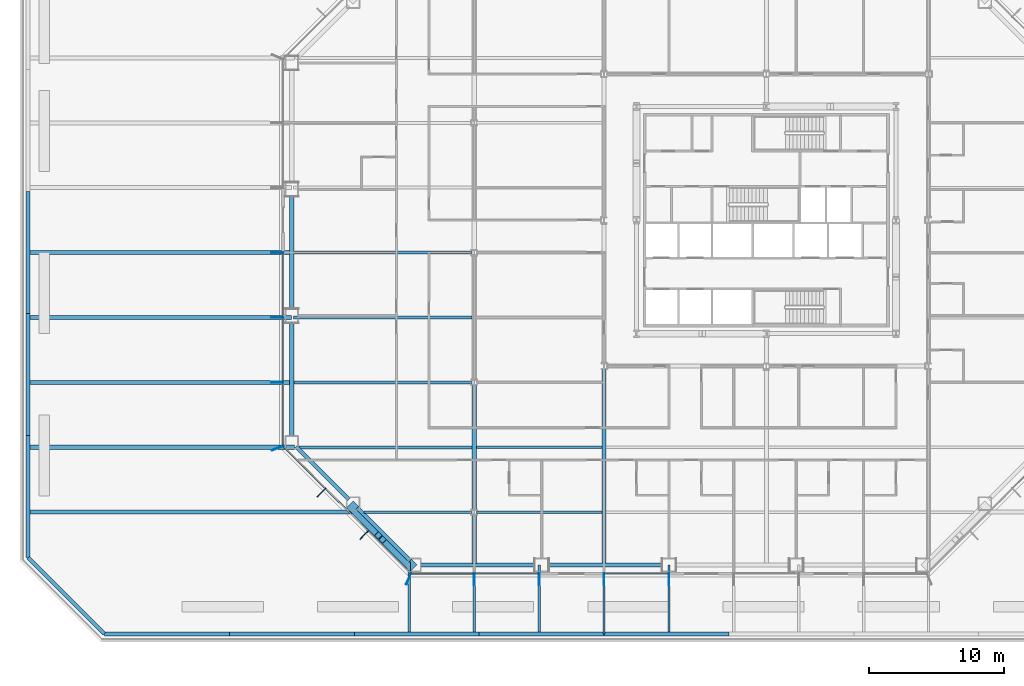
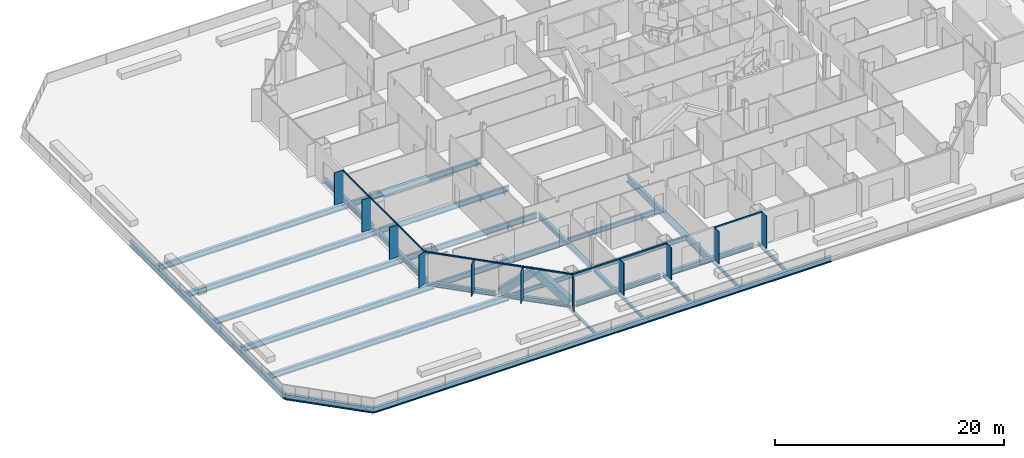
# One storey, part 2 of 18: 35 beams, 22 members, 3 elements without a shape of their own.
"""IFC4 building model written with IfcOpenShell, lengths in metres."""

from ifc_helpers import new_model, si_unit, direction, frame, origin, origin_2d, place, context, subcontext, project, spatial, rectangle, hollow_rectangle, i_section, extrude, material, material_profile, profile_set, type_object, element, aggregate, save


model = new_model("IFC4")

# Units and contexts
model_context = context("Model", 3, precision=1e-05, world=origin(), true_north=direction((0.0, 1.0)))
body_context = subcontext(model_context, "Body", "Model", "MODEL_VIEW")
ifc_project = project(units=[si_unit("LENGTHUNIT", "METRE"), si_unit("AREAUNIT", "SQUARE_METRE"), si_unit("VOLUMEUNIT", "CUBIC_METRE"), si_unit("PLANEANGLEUNIT", "RADIAN"), si_unit("MASSUNIT", "GRAM", prefix="KILO")], contexts=[model_context])

# Site, building, storey
site_placement = place(None, origin())
site = spatial("IfcSite", under=ifc_project, at=site_placement, CompositionType="ELEMENT")
building_placement = place(site_placement, origin())
building = spatial("IfcBuilding", under=site, at=building_placement, Name="Cairn Pilgrim Tower", CompositionType="ELEMENT")
storey_placement = place(building_placement, frame((0.0, 0.0, 40.199951171875)))
storey = spatial("IfcBuildingStorey", under=building, at=storey_placement, Name="L07", CompositionType="ELEMENT", Elevation=40.199951171875)

# Members
ifc_material_1 = material(Name="Structural steel S460M", Category="steel")
ifc_material_profile_1 = material_profile(ifc_material_1, hollow_rectangle(XDim=0.699951171875, YDim=0.699951171875, WallThickness=0.0400390625, at=origin_2d()), Name="BOX 700x700x40")
ifc_profile_set_1 = profile_set([ifc_material_profile_1], Name="Structural steel S460M")
member_type_1 = type_object("IfcMemberType", Name="BOX 700x700x40 BRACE", PredefinedType="BRACE", material=ifc_profile_set_1)
member_1_placement = place(storey_placement, frame((-23.44482421875, -18.786376953125, 0.150146484375), z_axis=(0.528090425698, -0.528090425698, 0.665012033404), x_axis=(0.707106781187, 0.707106781187, 0.0)))
element("IfcMember", 1, at=member_1_placement, inside=storey, type_object=member_type_1, Name="XB-SW2-S1-1", PredefinedType="BRACE", context=body_context, shape_type="SweptSolid", body=[
    extrude(hollow_rectangle(XDim=0.699951171875, YDim=0.699951171875, WallThickness=0.0400390625, at=origin_2d()), origin(), (0.0, 0.0, 1.0), 3.899658203125),
])
member_2_placement = place(storey_placement, frame((-19.0498046875, -23.181396484375, 0.150146484375), z_axis=(-0.528118110354, 0.528118110354, 0.664968061663), x_axis=(-0.707106781187, -0.707106781187, 0.0)))
element("IfcMember", 2, at=member_2_placement, inside=storey, type_object=member_type_1, Name="XB-SW2-S1-2", PredefinedType="BRACE", context=body_context, shape_type="SweptSolid", body=[
    extrude(hollow_rectangle(XDim=0.699951171875, YDim=0.699951171875, WallThickness=0.0400390625, at=origin_2d()), origin(), (0.0, 0.0, 1.0), 3.89990234375),
])

# Curtain wall, members
ifc_material_2 = material(Name="Aluminium alloy 6063-T6 bronze anodised with Bronze tinted laminated low-E glass 8+16+8.8", Category="aluminium")
curtain_wall_type_1 = type_object("IfcCurtainWallType", Name="TOWER STICK CURTAIN WALL NS", PredefinedType="NOTDEFINED", material=ifc_material_2)
curtain_wall_1_placement = place(storey_placement, origin())
curtain_wall_1 = element("IfcCurtainWall", 3, at=curtain_wall_1_placement, inside=storey, type_object=curtain_wall_type_1, Name="Tower Stick Curtain Wall Ns S", PredefinedType="NOTDEFINED")
ifc_material_3 = material(Name="Aluminium alloy 6063-T6 bronze anodised", Category="aluminium")
ifc_material_profile_2 = material_profile(ifc_material_3, rectangle(XDim=0.89990234375, YDim=0.06005859375, at=origin_2d()), Name="FIN MULLION 60x900 BRONZE")
ifc_profile_set_2 = profile_set([ifc_material_profile_2], Name="Aluminium alloy 6063-T6 bronze anodised")
member_type_2 = type_object("IfcMemberType", Name="FIN MULLION 60x900 BRONZE", PredefinedType="MULLION", material=ifc_profile_set_2)
member_3_placement = place(storey_placement, frame((-19.257080078125, -24.137939453125, 0.0), z_axis=(0.0, 0.0, 1.0), x_axis=(-0.382683432365, -0.923879532511, 0.0)))
member_3 = element("IfcMember", 4, at=member_3_placement, type_object=member_type_2, Name="Fin mullion S1", PredefinedType="MULLION", context=body_context, shape_type="SweptSolid", body=[
    extrude(rectangle(XDim=0.89990234375, YDim=0.06005859375, at=origin_2d()), origin(), (0.0, 0.0, 1.0), 3.449951171875),
])
member_4_placement = place(storey_placement, frame((-14.39990234375, -24.169921875, 0.0), z_axis=(0.0, 0.0, 1.0), x_axis=(0.0, -1.0, 0.0)))
member_4 = element("IfcMember", 5, at=member_4_placement, type_object=member_type_2, Name="Fin mullion S2", PredefinedType="MULLION", context=body_context, shape_type="SweptSolid", body=[
    extrude(rectangle(XDim=0.89990234375, YDim=0.06005859375, at=origin_2d()), origin(), (0.0, 0.0, 1.0), 3.449951171875),
])
member_5_placement = place(storey_placement, frame((-9.60009765625, -24.169921875, 0.0), z_axis=(0.0, 0.0, 1.0), x_axis=(0.0, -1.0, 0.0)))
member_5 = element("IfcMember", 6, at=member_5_placement, type_object=member_type_2, Name="Fin mullion S3", PredefinedType="MULLION", context=body_context, shape_type="SweptSolid", body=[
    extrude(rectangle(XDim=0.89990234375, YDim=0.06005859375, at=origin_2d()), origin(), (0.0, 0.0, 1.0), 3.449951171875),
])
member_6_placement = place(storey_placement, frame((-4.800048828125, -24.169921875, 0.0), z_axis=(0.0, 0.0, 1.0), x_axis=(0.0, -1.0, 0.0)))
member_6 = element("IfcMember", 7, at=member_6_placement, type_object=member_type_2, Name="Fin mullion S4", PredefinedType="MULLION", context=body_context, shape_type="SweptSolid", body=[
    extrude(rectangle(XDim=0.89990234375, YDim=0.06005859375, at=origin_2d()), origin(), (0.0, 0.0, 1.0), 3.449951171875),
])
member_7_placement = place(storey_placement, frame((0.0, -24.169921875, 0.0), z_axis=(0.0, 0.0, 1.0), x_axis=(0.0, -1.0, 0.0)))
member_7 = element("IfcMember", 8, at=member_7_placement, type_object=member_type_2, Name="Fin mullion S5", PredefinedType="MULLION", context=body_context, shape_type="SweptSolid", body=[
    extrude(rectangle(XDim=0.89990234375, YDim=0.06005859375, at=origin_2d()), origin(), (0.0, 0.0, 1.0), 3.449951171875),
])

curtain_wall_type_2 = type_object("IfcCurtainWallType", Name="TOWER STICK CURTAIN WALL EW", PredefinedType="NOTDEFINED", material=ifc_material_2)
curtain_wall_2_placement = place(storey_placement, origin())
curtain_wall_2 = element("IfcCurtainWall", 9, at=curtain_wall_2_placement, inside=storey, type_object=curtain_wall_type_2, Name="Tower Stick Curtain Wall Ew W", PredefinedType="NOTDEFINED")
member_8_placement = place(storey_placement, frame((-28.969970703125, 0.0, 0.0), z_axis=(0.0, 0.0, 1.0), x_axis=(-1.0, 0.0, 0.0)))
member_8 = element("IfcMember", 10, at=member_8_placement, type_object=member_type_2, Name="Fin mullion W4", PredefinedType="MULLION", context=body_context, shape_type="SweptSolid", body=[
    extrude(rectangle(XDim=0.89990234375, YDim=0.06005859375, at=origin_2d()), origin(), (0.0, 0.0, 1.0), 3.449951171875),
])
member_9_placement = place(storey_placement, frame((-28.969970703125, -4.800048828125, 0.0), z_axis=(0.0, 0.0, 1.0), x_axis=(-1.0, 0.0, 0.0)))
member_9 = element("IfcMember", 11, at=member_9_placement, type_object=member_type_2, Name="Fin mullion W5", PredefinedType="MULLION", context=body_context, shape_type="SweptSolid", body=[
    extrude(rectangle(XDim=0.89990234375, YDim=0.06005859375, at=origin_2d()), origin(), (0.0, 0.0, 1.0), 3.449951171875),
])
member_10_placement = place(storey_placement, frame((-28.969970703125, -9.60009765625, 0.0), z_axis=(0.0, 0.0, 1.0), x_axis=(-1.0, 0.0, 0.0)))
member_10 = element("IfcMember", 12, at=member_10_placement, type_object=member_type_2, Name="Fin mullion W6", PredefinedType="MULLION", context=body_context, shape_type="SweptSolid", body=[
    extrude(rectangle(XDim=0.89990234375, YDim=0.06005859375, at=origin_2d()), origin(), (0.0, 0.0, 1.0), 3.449951171875),
])

curtain_wall_type_3 = type_object("IfcCurtainWallType", Name="CHAMFER CORNER CURTAIN WALL", PredefinedType="NOTDEFINED", material=ifc_material_2)
curtain_wall_3_placement = place(storey_placement, origin())
curtain_wall_3 = element("IfcCurtainWall", 13, at=curtain_wall_3_placement, inside=storey, type_object=curtain_wall_type_3, Name="Chamfer Corner Curtain Wall SW", PredefinedType="NOTDEFINED")
member_11_placement = place(storey_placement, frame((-28.93798828125, -14.457275390625, 0.0), z_axis=(0.0, 0.0, 1.0), x_axis=(-0.923879532511, -0.382683432365, 0.0)))
member_11 = element("IfcMember", 14, at=member_11_placement, type_object=member_type_2, Name="Fin mullion SW1", PredefinedType="MULLION", context=body_context, shape_type="SweptSolid", body=[
    extrude(rectangle(XDim=0.89990234375, YDim=0.06005859375, at=origin_2d()), origin(), (0.0, 0.0, 1.0), 3.449951171875),
])
member_12_placement = place(storey_placement, frame((-25.69580078125, -17.74462890625, 0.0), z_axis=(0.0, 0.0, 1.0), x_axis=(-0.707106781187, -0.707106781187, 0.0)))
member_12 = element("IfcMember", 15, at=member_12_placement, type_object=member_type_2, Name="Fin mullion SW2", PredefinedType="MULLION", context=body_context, shape_type="SweptSolid", body=[
    extrude(rectangle(XDim=0.89990234375, YDim=0.06005859375, at=origin_2d()), origin(), (0.0, 0.0, 1.0), 3.449951171875),
])
member_13_placement = place(storey_placement, frame((-22.544677734375, -20.895751953125, 0.0), z_axis=(0.0, 0.0, 1.0), x_axis=(-0.707106781187, -0.707106781187, 0.0)))
member_13 = element("IfcMember", 16, at=member_13_placement, type_object=member_type_2, Name="Fin mullion SW3", PredefinedType="MULLION", context=body_context, shape_type="SweptSolid", body=[
    extrude(rectangle(XDim=0.89990234375, YDim=0.06005859375, at=origin_2d()), origin(), (0.0, 0.0, 1.0), 3.449951171875),
])

# Beams
ifc_material_4 = material(Name="Structural steel S355J2", Category="steel")
ifc_material_profile_3 = material_profile(ifc_material_4, i_section(OverallWidth=0.300048828125, OverallDepth=0.39990234375, WebThickness=0.013427734375, FlangeThickness=0.02392578125, FilletRadius=0.027099609375, at=origin_2d()), Name="HEB 400")
ifc_profile_set_3 = profile_set([ifc_material_profile_3], Name="Structural steel S355J2")
beam_type_1 = type_object("IfcBeamType", Name="HEB 400 GIRDER", PredefinedType="BEAM", material=ifc_profile_set_3)
beam_1_placement = place(storey_placement, frame((-14.39990234375, -22.97998046875, -0.349853515625), z_axis=(0.0, 1.0, 0.0), x_axis=(-1.0, 0.0, 0.0)))
element("IfcBeam", 17, at=beam_1_placement, inside=storey, type_object=beam_type_1, Name="PG1-1", PredefinedType="BEAM", context=body_context, shape_type="SweptSolid", body=[
    extrude(i_section(OverallWidth=0.300048828125, OverallDepth=0.39990234375, WebThickness=0.013427734375, FlangeThickness=0.02392578125, FilletRadius=0.027099609375, at=origin_2d()), origin(), (0.0, 0.0, 1.0), 3.575439453125),
])
ifc_material_profile_4 = material_profile(ifc_material_4, i_section(OverallWidth=0.300048828125, OverallDepth=0.5, WebThickness=0.014404296875, FlangeThickness=0.028076171875, FilletRadius=0.027099609375, at=origin_2d()), Name="HEB 500")
ifc_profile_set_4 = profile_set([ifc_material_profile_4], Name="Structural steel S355J2")
beam_type_2 = type_object("IfcBeamType", Name="HEB 500 GIRDER", PredefinedType="BEAM", material=ifc_profile_set_4)
beam_2_placement = place(storey_placement, frame((-14.39990234375, -18.99560546875, -0.39990234375), z_axis=(0.0, 1.0, 0.0), x_axis=(-1.0, 0.0, 0.0)))
element("IfcBeam", 18, at=beam_2_placement, inside=storey, type_object=beam_type_2, Name="PG1-2", PredefinedType="BEAM", context=body_context, shape_type="SweptSolid", body=[
    extrude(i_section(OverallWidth=0.300048828125, OverallDepth=0.5, WebThickness=0.014404296875, FlangeThickness=0.028076171875, FilletRadius=0.027099609375, at=origin_2d()), origin(), (0.0, 0.0, 1.0), 9.191162109375),
])
ifc_material_profile_5 = material_profile(ifc_material_4, i_section(OverallWidth=0.300048828125, OverallDepth=0.5, WebThickness=0.014404296875, FlangeThickness=0.028076171875, FilletRadius=0.027099609375, at=origin_2d()), Name="HEB 500")
ifc_profile_set_5 = profile_set([ifc_material_profile_5], Name="Structural steel S355J2")
beam_type_3 = type_object("IfcBeamType", Name="HEB 500 RING GIRDER", PredefinedType="SPANDREL", material=ifc_profile_set_5)
for number, where, z_axis, x_axis, name in (
    (19, (-18.377197265625, -23.10009765625, -0.39990234375), (1.0, 0.0, 0.0), (0.0, 1.0, 0.0), "RG1-S1-S2"),
    (20, (-8.963623046875, -23.10009765625, -0.39990234375), (1.0, 0.0, 0.0), (0.0, 1.0, 0.0), "RG1-S2-S3"),
):
    element("IfcBeam", number, at=place(storey_placement, frame(where, z_axis=z_axis, x_axis=x_axis)), inside=storey, type_object=beam_type_3, Name=name, PredefinedType="SPANDREL", context=body_context, shape_type="SweptSolid", body=[
        extrude(i_section(OverallWidth=0.300048828125, OverallDepth=0.5, WebThickness=0.014404296875, FlangeThickness=0.028076171875, FilletRadius=0.027099609375, at=origin_2d()), origin(), (0.0, 0.0, 1.0), 8.513671875),
    ])
beam_3_placement = place(storey_placement, frame((-27.89990234375, 4.2255859375, -0.39990234375), z_axis=(0.0, -1.0, 0.0), x_axis=(1.0, 0.0, 0.0)))
element("IfcBeam", 21, at=beam_3_placement, inside=storey, type_object=beam_type_3, Name="RG1-W2-W3", PredefinedType="SPANDREL", context=body_context, shape_type="SweptSolid", body=[
    extrude(i_section(OverallWidth=0.300048828125, OverallDepth=0.5, WebThickness=0.014404296875, FlangeThickness=0.028076171875, FilletRadius=0.027099609375, at=origin_2d()), origin(), (0.0, 0.0, 1.0), 8.451171875),
])
beam_4_placement = place(storey_placement, frame((-27.89990234375, -5.125732421875, -0.39990234375), z_axis=(0.0, -1.0, 0.0), x_axis=(1.0, 0.0, 0.0)))
element("IfcBeam", 22, at=beam_4_placement, inside=storey, type_object=beam_type_3, Name="RG1-W3-SW1", PredefinedType="SPANDREL", context=body_context, shape_type="SweptSolid", body=[
    extrude(i_section(OverallWidth=0.300048828125, OverallDepth=0.5, WebThickness=0.014404296875, FlangeThickness=0.028076171875, FilletRadius=0.027099609375, at=origin_2d()), origin(), (0.0, 0.0, 1.0), 8.451416015625),
])
for number, where, z_axis, x_axis, name in (
    (23, (-27.581787109375, -14.345458984375, -0.39990234375), (0.707106781187, -0.707106781187, 0.0), (0.707106781187, 0.707106781187, 0.0), "RG1-SW1-SW2"),
    (24, (-23.04541015625, -18.8818359375, -0.39990234375), (0.707106781187, -0.707106781187, 0.0), (0.707106781187, 0.707106781187, 0.0), "RG1-SW2-S1"),
):
    element("IfcBeam", number, at=place(storey_placement, frame(where, z_axis=z_axis, x_axis=x_axis)), inside=storey, type_object=beam_type_3, Name=name, PredefinedType="SPANDREL", context=body_context, shape_type="SweptSolid", body=[
        extrude(i_section(OverallWidth=0.300048828125, OverallDepth=0.5, WebThickness=0.014404296875, FlangeThickness=0.028076171875, FilletRadius=0.027099609375, at=origin_2d()), origin(), (0.0, 0.0, 1.0), 5.515380859375),
    ])
ifc_material_profile_6 = material_profile(ifc_material_4, i_section(OverallWidth=0.300048828125, OverallDepth=0.699951171875, WebThickness=0.01708984375, FlangeThickness=0.031982421875, FilletRadius=0.027099609375, at=origin_2d()), Name="HEB 700")
ifc_profile_set_6 = profile_set([ifc_material_profile_6], Name="Structural steel S355J2")
beam_type_4 = type_object("IfcBeamType", Name="HEB 700 GIRDER", PredefinedType="BEAM", material=ifc_profile_set_6)
beam_5_placement = place(storey_placement, frame((-4.800048828125, -22.97998046875, -0.5), z_axis=(0.0, 1.0, 0.0), x_axis=(-1.0, 0.0, 0.0)))
element("IfcBeam", 25, at=beam_5_placement, inside=storey, type_object=beam_type_4, Name="PG2-1", PredefinedType="BEAM", context=body_context, shape_type="SweptSolid", body=[
    extrude(i_section(OverallWidth=0.300048828125, OverallDepth=0.699951171875, WebThickness=0.01708984375, FlangeThickness=0.031982421875, FilletRadius=0.027099609375, at=origin_2d()), origin(), (0.0, 0.0, 1.0), 14.367919921875),
])
ifc_material_profile_7 = material_profile(ifc_material_4, i_section(OverallWidth=0.18994140625, OverallDepth=0.449951171875, WebThickness=0.009521484375, FlangeThickness=0.0146484375, FilletRadius=0.02099609375, at=origin_2d()), Name="IPE 450")
ifc_profile_set_7 = profile_set([ifc_material_profile_7], Name="Structural steel S355J2")
beam_type_5 = type_object("IfcBeamType", Name="IPE 450 SECONDARY BEAM", PredefinedType="JOIST", material=ifc_profile_set_7)
beam_6_placement = place(storey_placement, frame((-22.545166015625, -19.199951171875, -0.375), z_axis=(1.0, 0.0, 0.0), x_axis=(0.0, 1.0, 0.0)))
element("IfcBeam", 26, at=beam_6_placement, inside=storey, type_object=beam_type_5, Name="SB1-1", PredefinedType="JOIST", context=body_context, shape_type="SweptSolid", body=[
    extrude(i_section(OverallWidth=0.18994140625, OverallDepth=0.449951171875, WebThickness=0.009521484375, FlangeThickness=0.0146484375, FilletRadius=0.02099609375, at=origin_2d()), origin(), (0.0, 0.0, 1.0), 7.9951171875),
])
ifc_material_profile_8 = material_profile(ifc_material_4, i_section(OverallWidth=0.199951171875, OverallDepth=0.5, WebThickness=0.01025390625, FlangeThickness=0.01611328125, FilletRadius=0.02099609375, at=origin_2d()), Name="IPE 500")
ifc_profile_set_8 = profile_set([ifc_material_profile_8], Name="Structural steel S355J2")
beam_type_6 = type_object("IfcBeamType", Name="IPE 500 SECONDARY BEAM", PredefinedType="JOIST", material=ifc_profile_set_8)
for number, where, z_axis, x_axis, name in (
    (27, (-14.25, -19.199951171875, -0.39990234375), (1.0, 0.0, 0.0), (0.0, 1.0, 0.0), "SB1-2"),
    (28, (-14.25, -14.39990234375, -0.39990234375), (1.0, 0.0, 0.0), (0.0, 1.0, 0.0), "SB2-2"),
):
    element("IfcBeam", number, at=place(storey_placement, frame(where, z_axis=z_axis, x_axis=x_axis)), inside=storey, type_object=beam_type_6, Name=name, PredefinedType="JOIST", context=body_context, shape_type="SweptSolid", body=[
        extrude(i_section(OverallWidth=0.199951171875, OverallDepth=0.5, WebThickness=0.01025390625, FlangeThickness=0.01611328125, FilletRadius=0.02099609375, at=origin_2d()), origin(), (0.0, 0.0, 1.0), 9.300048828125),
    ])
ifc_material_profile_9 = material_profile(ifc_material_4, i_section(OverallWidth=0.219970703125, OverallDepth=0.60009765625, WebThickness=0.011962890625, FlangeThickness=0.01904296875, FilletRadius=0.02392578125, at=origin_2d()), Name="IPE 600")
ifc_profile_set_9 = profile_set([ifc_material_profile_9], Name="Structural steel S355J2")
beam_type_7 = type_object("IfcBeamType", Name="IPE 600 SECONDARY BEAM", PredefinedType="JOIST", material=ifc_profile_set_9)
beam_7_placement = place(storey_placement, frame((-27.34521484375, -14.39990234375, -0.449951171875), z_axis=(1.0, 0.0, 0.0), x_axis=(0.0, 1.0, 0.0)))
element("IfcBeam", 29, at=beam_7_placement, inside=storey, type_object=beam_type_7, Name="SB2-1", PredefinedType="JOIST", context=body_context, shape_type="SweptSolid", body=[
    extrude(i_section(OverallWidth=0.219970703125, OverallDepth=0.60009765625, WebThickness=0.011962890625, FlangeThickness=0.01904296875, FilletRadius=0.02392578125, at=origin_2d()), origin(), (0.0, 0.0, 1.0), 12.795166015625),
])
for number, where, z_axis, x_axis, name in (
    (30, (-27.780029296875, -9.60009765625, -0.449951171875), (1.0, 0.0, 0.0), (0.0, 1.0, 0.0), "SB3-1"),
    (31, (-27.780029296875, -4.800048828125, -0.449951171875), (1.0, 0.0, 0.0), (0.0, 1.0, 0.0), "SB4-1"),
    (32, (-27.780029296875, 0.0, -0.449951171875), (1.0, 0.0, 0.0), (0.0, 1.0, 0.0), "SB5-1"),
):
    element("IfcBeam", number, at=place(storey_placement, frame(where, z_axis=z_axis, x_axis=x_axis)), inside=storey, type_object=beam_type_7, Name=name, PredefinedType="JOIST", context=body_context, shape_type="SweptSolid", body=[
        extrude(i_section(OverallWidth=0.219970703125, OverallDepth=0.60009765625, WebThickness=0.011962890625, FlangeThickness=0.01904296875, FilletRadius=0.02392578125, at=origin_2d()), origin(), (0.0, 0.0, 1.0), 13.22998046875),
    ])
ifc_material_profile_10 = material_profile(ifc_material_4, i_section(OverallWidth=0.300048828125, OverallDepth=0.60009765625, WebThickness=0.015380859375, FlangeThickness=0.030029296875, FilletRadius=0.027099609375, at=origin_2d()), Name="HEB 600")
ifc_profile_set_10 = profile_set([ifc_material_profile_10], Name="Structural steel S355J2")
beam_type_8 = type_object("IfcBeamType", Name="PODIUM BEAM HE 600 B", PredefinedType="BEAM", material=ifc_profile_set_10)
beam_8_placement = place(storey_placement, frame((-47.248046875, -19.199951171875, -0.449951171875), z_axis=(1.0, 0.0, 0.0), x_axis=(0.0, 1.0, 0.0)))
element("IfcBeam", 33, at=beam_8_placement, inside=storey, type_object=beam_type_8, Name="PODIUM BEAM PB-HE600B", PredefinedType="BEAM", context=body_context, shape_type="SweptSolid", body=[
    extrude(i_section(OverallWidth=0.300048828125, OverallDepth=0.60009765625, WebThickness=0.015380859375, FlangeThickness=0.030029296875, FilletRadius=0.027099609375, at=origin_2d()), origin(), (0.0, 0.0, 1.0), 24.368896484375),
])
beam_9_placement = place(storey_placement, frame((-47.248046875, -14.39990234375, -0.449951171875), z_axis=(1.0, 0.0, 0.0), x_axis=(0.0, 1.0, 0.0)))
element("IfcBeam", 34, at=beam_9_placement, inside=storey, type_object=beam_type_8, Name="PODIUM BEAM PB-HE600B", PredefinedType="BEAM", context=body_context, shape_type="SweptSolid", body=[
    extrude(i_section(OverallWidth=0.300048828125, OverallDepth=0.60009765625, WebThickness=0.015380859375, FlangeThickness=0.030029296875, FilletRadius=0.027099609375, at=origin_2d()), origin(), (0.0, 0.0, 1.0), 19.56884765625),
])
beam_10_placement = place(storey_placement, frame((-47.248046875, -9.60009765625, -0.449951171875), z_axis=(1.0, 0.0, 0.0), x_axis=(0.0, 1.0, 0.0)))
element("IfcBeam", 35, at=beam_10_placement, inside=storey, type_object=beam_type_8, Name="PODIUM BEAM PB-HE600B", PredefinedType="BEAM", context=body_context, shape_type="SweptSolid", body=[
    extrude(i_section(OverallWidth=0.300048828125, OverallDepth=0.60009765625, WebThickness=0.015380859375, FlangeThickness=0.030029296875, FilletRadius=0.027099609375, at=origin_2d()), origin(), (0.0, 0.0, 1.0), 19.196044921875),
])
beam_11_placement = place(storey_placement, frame((-47.39990234375, -4.800048828125, -0.449951171875), z_axis=(1.0, 0.0, 0.0), x_axis=(0.0, 1.0, 0.0)))
element("IfcBeam", 36, at=beam_11_placement, inside=storey, type_object=beam_type_8, Name="PODIUM BEAM PB-HE600B", PredefinedType="BEAM", context=body_context, shape_type="SweptSolid", body=[
    extrude(i_section(OverallWidth=0.300048828125, OverallDepth=0.60009765625, WebThickness=0.015380859375, FlangeThickness=0.030029296875, FilletRadius=0.027099609375, at=origin_2d()), origin(), (0.0, 0.0, 1.0), 19.5),
])
beam_12_placement = place(storey_placement, frame((-47.248046875, 0.0, -0.449951171875), z_axis=(1.0, 0.0, 0.0), x_axis=(0.0, 1.0, 0.0)))
element("IfcBeam", 37, at=beam_12_placement, inside=storey, type_object=beam_type_8, Name="PODIUM BEAM PB-HE600B", PredefinedType="BEAM", context=body_context, shape_type="SweptSolid", body=[
    extrude(i_section(OverallWidth=0.300048828125, OverallDepth=0.60009765625, WebThickness=0.015380859375, FlangeThickness=0.030029296875, FilletRadius=0.027099609375, at=origin_2d()), origin(), (0.0, 0.0, 1.0), 19.196044921875),
])
ifc_material_profile_11 = material_profile(ifc_material_4, i_section(OverallWidth=0.169921875, OverallDepth=0.360107421875, WebThickness=0.008056640625, FlangeThickness=0.0126953125, FilletRadius=0.01806640625, at=origin_2d()), Name="IPE 360")
ifc_profile_set_11 = profile_set([ifc_material_profile_11], Name="Structural steel S355J2")
beam_type_9 = type_object("IfcBeamType", Name="PODIUM BEAM IPE 360", PredefinedType="BEAM", material=ifc_profile_set_11)
beam_13_placement = place(storey_placement, frame((-19.199951171875, -28.048095703125, -0.329833984375), z_axis=(0.0, 1.0, 0.0), x_axis=(-1.0, 0.0, 0.0)))
element("IfcBeam", 38, at=beam_13_placement, inside=storey, type_object=beam_type_9, Name="PODIUM BEAM PB-IPE360", PredefinedType="BEAM", context=body_context, shape_type="SweptSolid", body=[
    extrude(i_section(OverallWidth=0.169921875, OverallDepth=0.360107421875, WebThickness=0.008056640625, FlangeThickness=0.0126953125, FilletRadius=0.01806640625, at=origin_2d()), origin(), (0.0, 0.0, 1.0), 5.1689453125),
])
beam_14_placement = place(storey_placement, frame((-14.39990234375, -28.048095703125, -0.329833984375), z_axis=(0.0, 1.0, 0.0), x_axis=(-1.0, 0.0, 0.0)))
element("IfcBeam", 39, at=beam_14_placement, inside=storey, type_object=beam_type_9, Name="PODIUM BEAM PB-IPE360", PredefinedType="BEAM", context=body_context, shape_type="SweptSolid", body=[
    extrude(i_section(OverallWidth=0.169921875, OverallDepth=0.360107421875, WebThickness=0.008056640625, FlangeThickness=0.0126953125, FilletRadius=0.01806640625, at=origin_2d()), origin(), (0.0, 0.0, 1.0), 4.796142578125),
])
for number, where, z_axis, x_axis, name in (
    (40, (-9.60009765625, -28.048095703125, -0.329833984375), (0.0, 1.0, 0.0), (-1.0, 0.0, 0.0), "PODIUM BEAM PB-IPE360"),
    (41, (-4.800048828125, -28.199951171875, -0.329833984375), (0.0, 1.0, 0.0), (-1.0, 0.0, 0.0), "PODIUM BEAM PB-IPE360"),
    (42, (0.0, -28.048095703125, -0.329833984375), (0.0, 1.0, 0.0), (-1.0, 0.0, 0.0), "PODIUM BEAM PB-IPE360"),
):
    element("IfcBeam", number, at=place(storey_placement, frame(where, z_axis=z_axis, x_axis=x_axis)), inside=storey, type_object=beam_type_9, Name=name, PredefinedType="BEAM", context=body_context, shape_type="SweptSolid", body=[
        extrude(i_section(OverallWidth=0.169921875, OverallDepth=0.360107421875, WebThickness=0.008056640625, FlangeThickness=0.0126953125, FilletRadius=0.01806640625, at=origin_2d()), origin(), (0.0, 0.0, 1.0), 4.947998046875),
    ])
ifc_material_profile_12 = material_profile(ifc_material_4, i_section(OverallWidth=0.300048828125, OverallDepth=0.60009765625, WebThickness=0.015380859375, FlangeThickness=0.030029296875, FilletRadius=0.027099609375, at=origin_2d()), Name="HEB 600")
ifc_profile_set_12 = profile_set([ifc_material_profile_12], Name="Structural steel S355J2")
beam_type_10 = type_object("IfcBeamType", Name="PODIUM EDGE GIRDER HE 600 B", PredefinedType="BEAM", material=ifc_profile_set_12)
beam_15_placement = place(storey_placement, frame((-41.75146484375, -28.199951171875, -0.449951171875), z_axis=(1.0, 0.0, 0.0), x_axis=(0.0, 1.0, 0.0)))
element("IfcBeam", 43, at=beam_15_placement, inside=storey, type_object=beam_type_10, Name="PODIUM EDGE GIRDER PE-HE600B", PredefinedType="BEAM", context=body_context, shape_type="SweptSolid", body=[
    extrude(i_section(OverallWidth=0.300048828125, OverallDepth=0.60009765625, WebThickness=0.015380859375, FlangeThickness=0.030029296875, FilletRadius=0.027099609375, at=origin_2d()), origin(), (0.0, 0.0, 1.0), 9.23779296875),
])
beam_16_placement = place(storey_placement, frame((-32.513671875, -28.199951171875, -0.449951171875), z_axis=(1.0, 0.0, 0.0), x_axis=(0.0, 1.0, 0.0)))
element("IfcBeam", 44, at=beam_16_placement, inside=storey, type_object=beam_type_10, Name="PODIUM EDGE GIRDER PE-HE600B", PredefinedType="BEAM", context=body_context, shape_type="SweptSolid", body=[
    extrude(i_section(OverallWidth=0.300048828125, OverallDepth=0.60009765625, WebThickness=0.015380859375, FlangeThickness=0.030029296875, FilletRadius=0.027099609375, at=origin_2d()), origin(), (0.0, 0.0, 1.0), 9.238037109375),
])
for number, where, z_axis, x_axis, name in (
    (45, (-23.275634765625, -28.199951171875, -0.449951171875), (1.0, 0.0, 0.0), (0.0, 1.0, 0.0), "PODIUM EDGE GIRDER PE-HE600B"),
    (46, (-14.037841796875, -28.199951171875, -0.449951171875), (1.0, 0.0, 0.0), (0.0, 1.0, 0.0), "PODIUM EDGE GIRDER PE-HE600B"),
):
    element("IfcBeam", number, at=place(storey_placement, frame(where, z_axis=z_axis, x_axis=x_axis)), inside=storey, type_object=beam_type_10, Name=name, PredefinedType="BEAM", context=body_context, shape_type="SweptSolid", body=[
        extrude(i_section(OverallWidth=0.300048828125, OverallDepth=0.60009765625, WebThickness=0.015380859375, FlangeThickness=0.030029296875, FilletRadius=0.027099609375, at=origin_2d()), origin(), (0.0, 0.0, 1.0), 9.23779296875),
    ])
beam_17_placement = place(storey_placement, frame((-4.800048828125, -28.199951171875, -0.449951171875), z_axis=(1.0, 0.0, 0.0), x_axis=(0.0, 1.0, 0.0)))
element("IfcBeam", 47, at=beam_17_placement, inside=storey, type_object=beam_type_10, Name="PODIUM EDGE GIRDER PE-HE600B", PredefinedType="BEAM", context=body_context, shape_type="SweptSolid", body=[
    extrude(i_section(OverallWidth=0.300048828125, OverallDepth=0.60009765625, WebThickness=0.015380859375, FlangeThickness=0.030029296875, FilletRadius=0.027099609375, at=origin_2d()), origin(), (0.0, 0.0, 1.0), 9.238037109375),
])
beam_18_placement = place(storey_placement, frame((-47.39990234375, 4.51025390625, -0.449951171875), z_axis=(0.0, -1.0, 0.0), x_axis=(1.0, 0.0, 0.0)))
element("IfcBeam", 48, at=beam_18_placement, inside=storey, type_object=beam_type_10, Name="PODIUM EDGE GIRDER PE-HE600B", PredefinedType="BEAM", context=body_context, shape_type="SweptSolid", body=[
    extrude(i_section(OverallWidth=0.300048828125, OverallDepth=0.60009765625, WebThickness=0.015380859375, FlangeThickness=0.030029296875, FilletRadius=0.027099609375, at=origin_2d()), origin(), (0.0, 0.0, 1.0), 9.0205078125),
])
beam_19_placement = place(storey_placement, frame((-47.39990234375, -4.51025390625, -0.449951171875), z_axis=(0.0, -1.0, 0.0), x_axis=(1.0, 0.0, 0.0)))
element("IfcBeam", 49, at=beam_19_placement, inside=storey, type_object=beam_type_10, Name="PODIUM EDGE GIRDER PE-HE600B", PredefinedType="BEAM", context=body_context, shape_type="SweptSolid", body=[
    extrude(i_section(OverallWidth=0.300048828125, OverallDepth=0.60009765625, WebThickness=0.015380859375, FlangeThickness=0.030029296875, FilletRadius=0.027099609375, at=origin_2d()), origin(), (0.0, 0.0, 1.0), 9.020751953125),
])
beam_20_placement = place(storey_placement, frame((-47.39990234375, -13.531005859375, -0.449951171875), z_axis=(0.0, -1.0, 0.0), x_axis=(1.0, 0.0, 0.0)))
element("IfcBeam", 50, at=beam_20_placement, inside=storey, type_object=beam_type_10, Name="PODIUM EDGE GIRDER PE-HE600B", PredefinedType="BEAM", context=body_context, shape_type="SweptSolid", body=[
    extrude(i_section(OverallWidth=0.300048828125, OverallDepth=0.60009765625, WebThickness=0.015380859375, FlangeThickness=0.030029296875, FilletRadius=0.027099609375, at=origin_2d()), origin(), (0.0, 0.0, 1.0), 9.0205078125),
])
beam_21_placement = place(storey_placement, frame((-47.39990234375, -22.551513671875, -0.449951171875), z_axis=(0.707106781187, -0.707106781187, 0.0), x_axis=(0.707106781187, 0.707106781187, 0.0)))
element("IfcBeam", 51, at=beam_21_placement, inside=storey, type_object=beam_type_10, Name="PODIUM EDGE GIRDER PE-HE600B", PredefinedType="BEAM", context=body_context, shape_type="SweptSolid", body=[
    extrude(i_section(OverallWidth=0.300048828125, OverallDepth=0.60009765625, WebThickness=0.015380859375, FlangeThickness=0.030029296875, FilletRadius=0.027099609375, at=origin_2d()), origin(), (0.0, 0.0, 1.0), 7.988037109375),
])

# Member
ifc_material_profile_13 = material_profile(ifc_material_3, rectangle(XDim=0.080078125, YDim=0.14990234375, at=origin_2d()), Name="TRANSOM 80x150 BRONZE")
ifc_profile_set_13 = profile_set([ifc_material_profile_13], Name="Aluminium alloy 6063-T6 bronze anodised")
member_type_3 = type_object("IfcMemberType", Name="TRANSOM 80x150 BRONZE", PredefinedType="USERDEFINED", material=ifc_profile_set_13)
member_14_placement = place(storey_placement, frame((-19.056396484375, -23.75, 3.375), z_axis=(1.0, 0.0, 0.0), x_axis=(0.0, 1.0, 0.0)))
member_14 = element("IfcMember", 52, at=member_14_placement, type_object=member_type_3, Name="Transom S1", ObjectType="TRANSOM", PredefinedType="USERDEFINED", context=body_context, shape_type="SweptSolid", body=[
    extrude(rectangle(XDim=0.080078125, YDim=0.14990234375, at=origin_2d()), origin(), (0.0, 0.0, 1.0), 4.62646484375),
])

member_15_placement = place(storey_placement, frame((-14.3701171875, -23.75, 3.375), z_axis=(1.0, 0.0, 0.0), x_axis=(0.0, 1.0, 0.0)))
member_15 = element("IfcMember", 53, at=member_15_placement, type_object=member_type_3, Name="Transom S2", ObjectType="TRANSOM", PredefinedType="USERDEFINED", context=body_context, shape_type="SweptSolid", body=[
    extrude(rectangle(XDim=0.080078125, YDim=0.14990234375, at=origin_2d()), origin(), (0.0, 0.0, 1.0), 4.740234375),
])

member_16_placement = place(storey_placement, frame((-4.77001953125, -23.75, 3.375), z_axis=(1.0, 0.0, 0.0), x_axis=(0.0, 1.0, 0.0)))
member_16 = element("IfcMember", 54, at=member_16_placement, type_object=member_type_3, Name="Transom S4", ObjectType="TRANSOM", PredefinedType="USERDEFINED", context=body_context, shape_type="SweptSolid", body=[
    extrude(rectangle(XDim=0.080078125, YDim=0.14990234375, at=origin_2d()), origin(), (0.0, 0.0, 1.0), 4.739990234375),
])

aggregate(curtain_wall_1, [member_3, member_4, member_5, member_6, member_7, member_14, member_15, member_16])

member_17_placement = place(storey_placement, frame((-28.550048828125, -0.030029296875, 3.375), z_axis=(0.0, -1.0, 0.0), x_axis=(1.0, 0.0, 0.0)))
member_17 = element("IfcMember", 55, at=member_17_placement, type_object=member_type_3, Name="Transom W4", ObjectType="TRANSOM", PredefinedType="USERDEFINED", context=body_context, shape_type="SweptSolid", body=[
    extrude(rectangle(XDim=0.080078125, YDim=0.14990234375, at=origin_2d()), origin(), (0.0, 0.0, 1.0), 4.739990234375),
])

member_18_placement = place(storey_placement, frame((-28.550048828125, -4.830078125, 3.375), z_axis=(0.0, -1.0, 0.0), x_axis=(1.0, 0.0, 0.0)))
member_18 = element("IfcMember", 56, at=member_18_placement, type_object=member_type_3, Name="Transom W5", ObjectType="TRANSOM", PredefinedType="USERDEFINED", context=body_context, shape_type="SweptSolid", body=[
    extrude(rectangle(XDim=0.080078125, YDim=0.14990234375, at=origin_2d()), origin(), (0.0, 0.0, 1.0), 4.739990234375),
])

member_19_placement = place(storey_placement, frame((-28.550048828125, -9.6298828125, 3.375), z_axis=(0.0, -1.0, 0.0), x_axis=(1.0, 0.0, 0.0)))
member_19 = element("IfcMember", 57, at=member_19_placement, type_object=member_type_3, Name="Transom W6", ObjectType="TRANSOM", PredefinedType="USERDEFINED", context=body_context, shape_type="SweptSolid", body=[
    extrude(rectangle(XDim=0.080078125, YDim=0.14990234375, at=origin_2d()), origin(), (0.0, 0.0, 1.0), 4.62646484375),
])

aggregate(curtain_wall_2, [member_8, member_9, member_10, member_17, member_18, member_19])

member_20_placement = place(storey_placement, frame((-28.521728515625, -14.32470703125, 3.375), z_axis=(0.707106781187, -0.707106781187, 0.0), x_axis=(0.707106781187, 0.707106781187, 0.0)))
member_20 = element("IfcMember", 58, at=member_20_placement, type_object=member_type_3, Name="Transom SW1", ObjectType="TRANSOM", PredefinedType="USERDEFINED", context=body_context, shape_type="SweptSolid", body=[
    extrude(rectangle(XDim=0.080078125, YDim=0.14990234375, at=origin_2d()), origin(), (0.0, 0.0, 1.0), 4.38671875),
])

member_21_placement = place(storey_placement, frame((-25.377685546875, -17.46875, 3.375), z_axis=(0.707106781187, -0.707106781187, 0.0), x_axis=(0.707106781187, 0.707106781187, 0.0)))
member_21 = element("IfcMember", 59, at=member_21_placement, type_object=member_type_3, Name="Transom SW2", ObjectType="TRANSOM", PredefinedType="USERDEFINED", context=body_context, shape_type="SweptSolid", body=[
    extrude(rectangle(XDim=0.080078125, YDim=0.14990234375, at=origin_2d()), origin(), (0.0, 0.0, 1.0), 4.396728515625),
])

member_22_placement = place(storey_placement, frame((-22.226318359375, -20.6201171875, 3.375), z_axis=(0.707106781187, -0.707106781187, 0.0), x_axis=(0.707106781187, 0.707106781187, 0.0)))
member_22 = element("IfcMember", 60, at=member_22_placement, type_object=member_type_3, Name="Transom SW3", ObjectType="TRANSOM", PredefinedType="USERDEFINED", context=body_context, shape_type="SweptSolid", body=[
    extrude(rectangle(XDim=0.080078125, YDim=0.14990234375, at=origin_2d()), origin(), (0.0, 0.0, 1.0), 4.38623046875),
])

aggregate(curtain_wall_3, [member_11, member_12, member_13, member_20, member_21, member_22])

save(model, "model.ifc")
